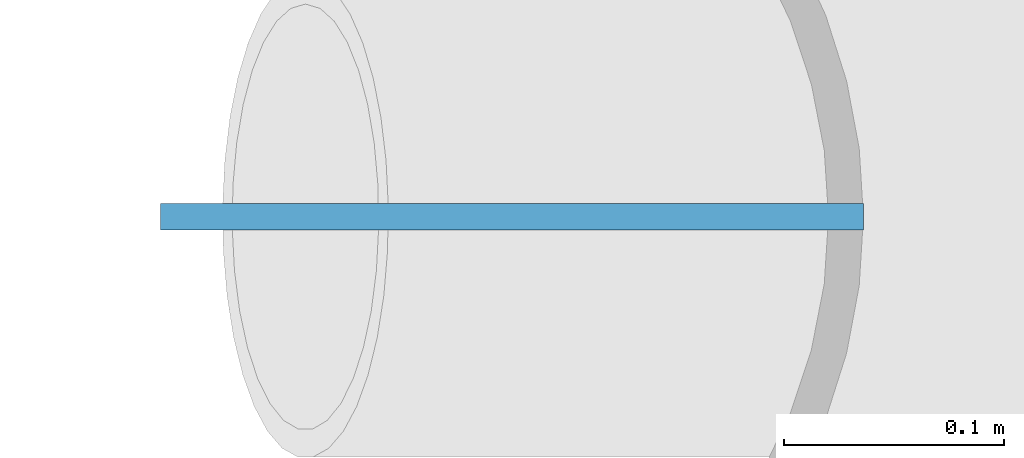
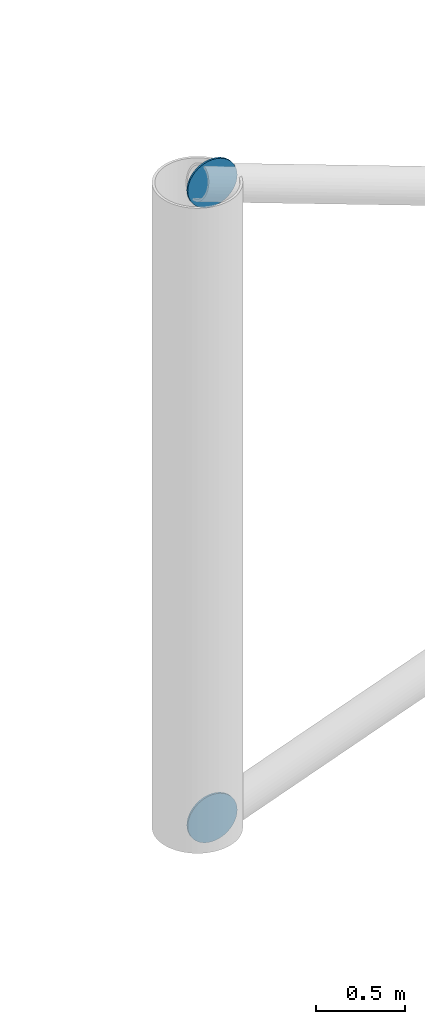
# One storey, part 88 of 115: 2 discrete accessories.
"""IFC4 building model written with IfcOpenShell, lengths in metres."""

from ifc_helpers import new_model, si_unit, direction, frame, origin, origin_2d, place, context, subcontext, project, spatial, circle, extrude, material, layer, layer_set, type_object, element, save


model = new_model("IFC4")

# Units and contexts
model_context = context("Model", 3, precision=1e-05, world=origin(), true_north=direction((0.0, 1.0)))
body_context = subcontext(model_context, "Body", "Model", "MODEL_VIEW")
ifc_project = project(units=[si_unit("LENGTHUNIT", "METRE"), si_unit("AREAUNIT", "SQUARE_METRE"), si_unit("VOLUMEUNIT", "CUBIC_METRE"), si_unit("PLANEANGLEUNIT", "RADIAN"), si_unit("MASSUNIT", "GRAM", prefix="KILO")], contexts=[model_context])

# Site, building, storey
site_placement = place(None, origin())
site = spatial("IfcSite", under=ifc_project, at=site_placement, CompositionType="ELEMENT")
building_placement = place(site_placement, origin())
building = spatial("IfcBuilding", under=site, at=building_placement, Name="Windward Yard Aquatics Centre", CompositionType="ELEMENT")
storey_placement = place(building_placement, frame((0.0, 0.0, 5.0)))
storey = spatial("IfcBuildingStorey", under=building, at=storey_placement, Name="L01", CompositionType="ELEMENT", Elevation=5.0)

# Discrete accessories
ifc_material = material(Name="Steel S355", Category="steel")
ifc_layer = layer(ifc_material, 0.011962890625)
ifc_layer_set = layer_set([ifc_layer], Name="Gusset plate 320 mm disc 12 mm")
discrete_accessory_type = type_object("IfcDiscreteAccessoryType", Name="Gusset plate 320 mm disc 12 mm", PredefinedType="USERDEFINED", material=ifc_layer_set)
for number, where, z_axis, x_axis, name in (
    (1, (132.093994140625, 80.39404296875, 0.034423828125), (0.0, 1.0, 0.0), (-1.0, 0.0, 0.0), "Gusset plate"),
    (2, (132.093994140625, 80.39404296875, 4.365478515625), (0.0, 1.0, 0.0), (-1.0, 0.0, 0.0), "Gusset plate"),
):
    element("IfcDiscreteAccessory", number, at=place(storey_placement, frame(where, z_axis=z_axis, x_axis=x_axis)), inside=storey, type_object=discrete_accessory_type, Name=name, ObjectType="GUSSET PLATE", PredefinedType="USERDEFINED", context=body_context, shape_type="SweptSolid", body=[
        extrude(circle(Radius=0.159912109375, at=origin_2d()), origin(), (0.0, 0.0, 1.0), 0.011962890625),
    ])

save(model, "model.ifc")
